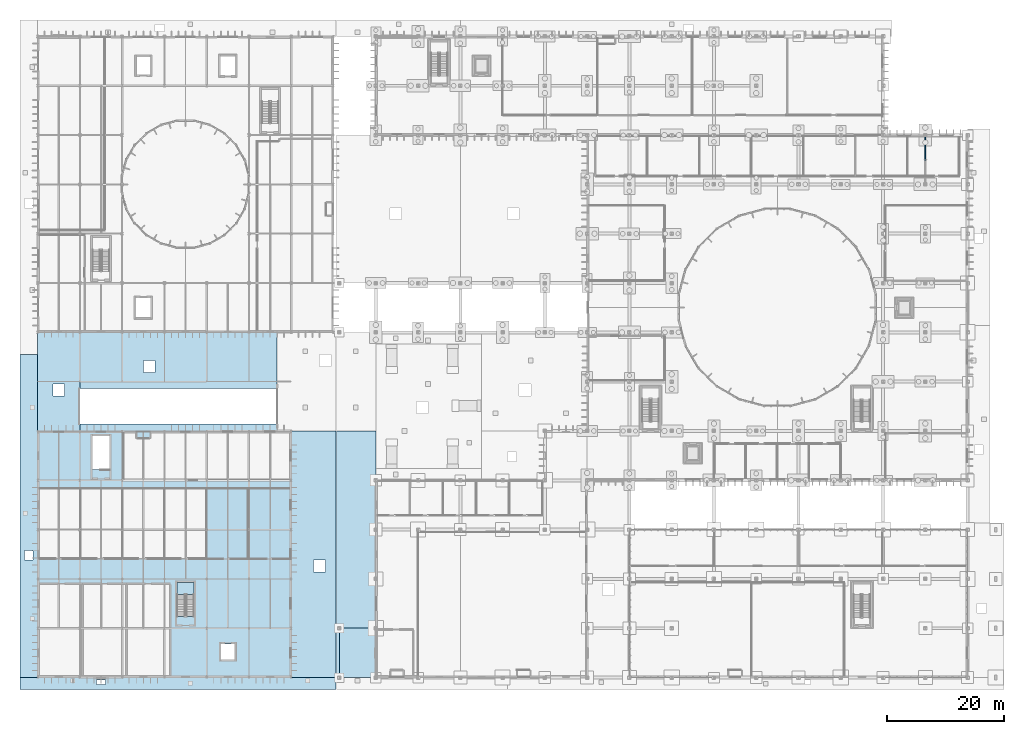
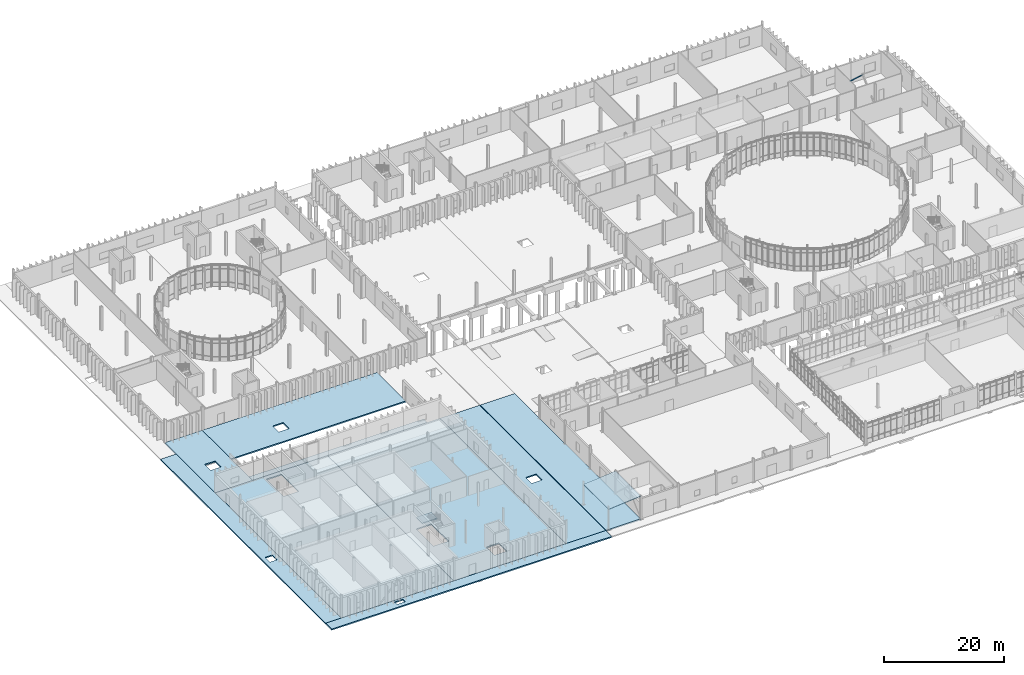
# One storey, part 53 of 118: 11 slabs, 1 member, 1 element without a shape of its own.
"""IFC4 building model written with IfcOpenShell, lengths in metres."""

import ifcopenshell
import ifcopenshell.guid

model = None  # the IFC model being written
_history = None  # IfcOwnerHistory: only IFC2X3 demands one
_inside = {}  # id of a spatial element -> (the spatial element, [elements in it])
_under = {}  # id of a project, library or spatial element -> (it, [spatial elements below it])
_declared = {}  # id of a project -> (the project, [libraries it declares])
_typed = {}  # id of a type object -> (the type object, [elements of that type])
_made_of = {}  # id of a material, layer set ... -> (it, [elements and type objects made of it])


def new_model(schema):
    """Start an empty IFC model of exactly this schema.

    Asked for "IFC4X3", IfcOpenShell would pick the latest addendum, in which some entities
    have other attributes; the version numbers below select the first issue.
    IFC2X3 requires an IfcOwnerHistory on every rooted entity: one is made here for all.
    """
    global model, _history
    if schema == "IFC4X3":
        model = ifcopenshell.file(schema_version=(4, 3, 0, 0))
    else:
        model = ifcopenshell.file(schema=schema)
    _inside.clear()
    _under.clear()
    _declared.clear()
    _typed.clear()
    _made_of.clear()
    _history = None
    if model.schema == "IFC2X3":
        org = make("IfcOrganization", Name="unknown")
        user = make(
            "IfcPersonAndOrganization",
            ThePerson=make("IfcPerson", FamilyName="unknown"),
            TheOrganization=org,
        )
        app = make(
            "IfcApplication",
            ApplicationDeveloper=org,
            Version="unknown",
            ApplicationFullName="unknown",
            ApplicationIdentifier="unknown",
        )
        _history = make(
            "IfcOwnerHistory",
            OwningUser=user,
            OwningApplication=app,
            ChangeAction="ADDED",
            CreationDate=0,
        )
    return model


def make(cls, **values):
    """One entity of the class cls with the attributes given. An attribute that is None is left unset."""
    return model.create_entity(
        cls, **{name: value for name, value in values.items() if value is not None}
    )


def rooted(cls, **values):
    """An entity with a GlobalId (a new one), such as an element, a storey or a relation."""
    return make(cls, GlobalId=ifcopenshell.guid.new(), OwnerHistory=_history, **values)


def si_unit(unit_type, name, prefix=None):
    """IfcSIUnit, for example si_unit("LENGTHUNIT", "METRE", prefix="MILLI")."""
    return make("IfcSIUnit", UnitType=unit_type, Prefix=prefix, Name=name)


def assignment(units):
    """IfcUnitAssignment: the units of a project."""
    return None if units is None else make("IfcUnitAssignment", Units=units)


def point(xyz):
    """IfcCartesianPoint."""
    return None if xyz is None else make("IfcCartesianPoint", Coordinates=xyz)


def direction(xyz):
    """IfcDirection."""
    return None if xyz is None else make("IfcDirection", DirectionRatios=xyz)


def frame(location, z_axis=None, x_axis=None):
    """IfcAxis2Placement3D, a coordinate frame: its origin and axes. An axis left out is left unset."""
    return make(
        "IfcAxis2Placement3D",
        Location=point(location),
        Axis=direction(z_axis),
        RefDirection=direction(x_axis),
    )


def frame_2d(location, x_axis=None):
    """IfcAxis2Placement2D, a coordinate frame in the plane: its origin and x axis."""
    return make(
        "IfcAxis2Placement2D", Location=point(location), RefDirection=direction(x_axis)
    )


def origin():
    """The frame at (0, 0, 0) with its axes left unset."""
    return frame((0.0, 0.0, 0.0))


def origin_2d():
    """The frame at (0, 0) in the plane with its x axis left unset."""
    return frame_2d((0.0, 0.0))


def place(relative_to, where):
    """IfcLocalPlacement: puts the frame where relative to a parent placement (None: the world)."""
    return make(
        "IfcLocalPlacement", PlacementRelTo=relative_to, RelativePlacement=where
    )


def context(
    kind, dimensions, precision=None, world=None, true_north=None, identifier=None
):
    """IfcGeometricRepresentationContext, for example the 3D "Model" context."""
    return make(
        "IfcGeometricRepresentationContext",
        ContextIdentifier=identifier,
        ContextType=kind,
        CoordinateSpaceDimension=dimensions,
        Precision=precision,
        WorldCoordinateSystem=world,
        TrueNorth=true_north,
    )


def subcontext(parent, identifier, kind, view, scale=None):
    """IfcGeometricRepresentationSubContext, for example "Body" below "Model"."""
    return make(
        "IfcGeometricRepresentationSubContext",
        ContextIdentifier=identifier,
        ContextType=kind,
        ParentContext=parent,
        TargetScale=scale,
        TargetView=view,
    )


def project(units=None, contexts=None):
    """IfcProject with its units and contexts."""
    return rooted(
        "IfcProject",
        Name="project",
        RepresentationContexts=contexts,
        UnitsInContext=assignment(units),
    )


def spatial(cls, under=None, at=None, **own):
    """A site, building, storey or space (cls), placed at a placement, below another one or the project."""
    s = rooted(cls, ObjectPlacement=at, **own)
    if under is not None:
        _under.setdefault(under.id(), (under, []))[1].append(s)
    return s


def polyline(points):
    """IfcPolyline through the points."""
    return make("IfcPolyline", Points=[point(p) for p in points])


def profile(cls, at=None, kind="AREA", **sizes):
    """A parametric profile (cls). Its sizes go by their IFC names, for example OverallWidth=200.0."""
    return make(cls, ProfileType=kind, Position=at, **sizes)


def hollow_rectangle(**sizes):
    """IfcRectangleHollowProfileDef."""
    return profile("IfcRectangleHollowProfileDef", **sizes)


def outline(outer, holes=None, kind="AREA"):
    """IfcArbitraryClosedProfileDef: a profile drawn as a closed curve; with holes, ...WithVoids."""
    if holes is None:
        return make("IfcArbitraryClosedProfileDef", ProfileType=kind, OuterCurve=outer)
    return make(
        "IfcArbitraryProfileDefWithVoids",
        ProfileType=kind,
        OuterCurve=outer,
        InnerCurves=holes,
    )


def extrude(swept, where, along, depth):
    """IfcExtrudedAreaSolid: the profile swept, set in the frame where, extruded along a direction by depth."""
    return make(
        "IfcExtrudedAreaSolid",
        SweptArea=swept,
        Position=where,
        ExtrudedDirection=direction(along),
        Depth=depth,
    )


def shape(context_of_items, identifier, shape_type, items):
    """IfcShapeRepresentation: the items that make up one representation, for example the "Body"."""
    return make(
        "IfcShapeRepresentation",
        ContextOfItems=context_of_items,
        RepresentationIdentifier=identifier,
        RepresentationType=shape_type,
        Items=items,
    )


def material(Name=None, Category=None):
    """IfcMaterial."""
    return make("IfcMaterial", Name=Name, Category=Category)


def layer(
    of_material, thickness, ventilated=None, Name=None, Category=None, Priority=None
):
    """IfcMaterialLayer: one layer of a wall or slab, of a material (None: an air gap)."""
    return make(
        "IfcMaterialLayer",
        Material=of_material,
        LayerThickness=thickness,
        IsVentilated=ventilated,
        Name=Name,
        Category=Category,
        Priority=Priority,
    )


def layer_set(layers, Name=None):
    """IfcMaterialLayerSet."""
    return make("IfcMaterialLayerSet", MaterialLayers=layers, LayerSetName=Name)


def material_profile(
    of_material, cross_section, Name=None, Category=None, Priority=None
):
    """IfcMaterialProfile: a cross section and its material."""
    return make(
        "IfcMaterialProfile",
        Name=Name,
        Material=of_material,
        Profile=cross_section,
        Priority=Priority,
        Category=Category,
    )


def profile_set(profiles, Name=None, composite=None):
    """IfcMaterialProfileSet."""
    return make(
        "IfcMaterialProfileSet",
        Name=Name,
        MaterialProfiles=profiles,
        CompositeProfile=composite,
    )


def made_of(thing, what):
    """Note that an element or type object is made of a material, layer set ...; save() writes the relation."""
    if what is not None:
        _made_of.setdefault(what.id(), (what, []))[1].append(thing)
    return thing


def type_object(cls, material=None, **own):
    """A type object (cls), such as IfcWallType, which elements share."""
    return made_of(rooted(cls, **own), material)


def element(
    cls,
    number,
    at=None,
    inside=None,
    cuts=None,
    type_object=None,
    material=None,
    context=None,
    identifier="Body",
    shape_type=None,
    held_by="IfcProductDefinitionShape",
    body=None,
    shapes=None,
    **own,
):
    """One element of the class cls, such as IfcWall. Its Tag is "e" and its number.

    at: its placement. inside: the storey or other place that contains it. cuts: it is an
    opening in that element (IfcRelVoidsElement). A single representation is given by context,
    identifier, shape_type and body (its items); several are given by shapes. held_by: the class
    of the entity that holds the representations. save() writes the other relations.
    """
    e = rooted(cls, Tag="e%d" % number, ObjectPlacement=at, **own)
    if body is not None:
        shapes = [shape(context, identifier, shape_type, body)]
    if shapes is not None:
        e.Representation = make(held_by, Representations=shapes)
    if inside is not None:
        _inside.setdefault(inside.id(), (inside, []))[1].append(e)
    if cuts is not None:
        rooted(
            "IfcRelVoidsElement", RelatingBuildingElement=cuts, RelatedOpeningElement=e
        )
    if type_object is not None:
        _typed.setdefault(type_object.id(), (type_object, []))[1].append(e)
    return made_of(e, material)


def aggregate(whole, parts):
    """IfcRelAggregates: a whole, such as a stair, and the parts it consists of."""
    return rooted("IfcRelAggregates", RelatingObject=whole, RelatedObjects=parts)


def save(model, path):
    """Write the relations noted so far, then the file.

    IfcRelAggregates (storeys below a building ...), IfcRelContainedInSpatialStructure (elements
    in a storey), IfcRelDefinesByType, IfcRelAssociatesMaterial and IfcRelDeclares: one each for
    every whole, place, type object, material and project.
    """
    for whole, parts in _under.values():
        aggregate(whole, parts)
    for where, things in _inside.values():
        rooted(
            "IfcRelContainedInSpatialStructure",
            RelatedElements=things,
            RelatingStructure=where,
        )
    for kind, things in _typed.values():
        rooted("IfcRelDefinesByType", RelatedObjects=things, RelatingType=kind)
    for what, things in _made_of.values():
        rooted("IfcRelAssociatesMaterial", RelatedObjects=things, RelatingMaterial=what)
    for by, libraries in _declared.values():
        rooted("IfcRelDeclares", RelatingContext=by, RelatedDefinitions=libraries)
    model.write(path)


model = new_model("IFC4")

# Units and contexts
model_context = context("Model", 3, precision=1e-05, world=origin(), true_north=direction((0.0, 1.0)))
body_context = subcontext(model_context, "Body", "Model", "MODEL_VIEW")
ifc_project = project(units=[si_unit("LENGTHUNIT", "METRE"), si_unit("AREAUNIT", "SQUARE_METRE"), si_unit("VOLUMEUNIT", "CUBIC_METRE"), si_unit("PLANEANGLEUNIT", "RADIAN"), si_unit("MASSUNIT", "GRAM", prefix="KILO")], contexts=[model_context])

# Site, building, storey
site_placement = place(None, origin())
site = spatial("IfcSite", under=ifc_project, at=site_placement, CompositionType="ELEMENT")
building_placement = place(site_placement, origin())
building = spatial("IfcBuilding", under=site, at=building_placement, Name="Qelthora Terrace Specialist Clinic", CompositionType="ELEMENT")
storey_placement = place(building_placement, origin())
storey = spatial("IfcBuildingStorey", under=building, at=storey_placement, Name="L00", CompositionType="ELEMENT", Elevation=0.0)

# Member
ifc_material_1 = material(Name="Steel S355", Category="steel")
ifc_material_profile = material_profile(ifc_material_1, hollow_rectangle(XDim=0.179931640625, YDim=0.179931640625, WallThickness=0.010009765625, at=origin_2d()), Name="HSS180X180X10")
ifc_profile_set = profile_set([ifc_material_profile], Name="Steel S355")
member_type = type_object("IfcMemberType", Name="MEM-BRACE-HSS180", PredefinedType="BRACE", material=ifc_profile_set)
member_placement = place(storey_placement, frame((151.199951171875, 92.39990234375, 0.179931640625), z_axis=(0.0, -0.73539317044, 0.677640675336), x_axis=(1.0, 0.0, 0.0)))
element("IfcMember", 1, at=member_placement, inside=storey, type_object=member_type, Name="Concentric seismic chevron brace B4-L00B", PredefinedType="BRACE", context=body_context, shape_type="SweptSolid", body=[
    extrude(hollow_rectangle(XDim=0.179931640625, YDim=0.179931640625, WallThickness=0.010009765625, at=origin_2d()), origin(), (0.0, 0.0, 1.0), 5.711181640625),
])

# Slabs
ifc_layer_1 = layer(ifc_material_1, 0.1298828125)
ifc_layer_set_1 = layer_set([ifc_layer_1], Name="Steel S355")
slab_type_1 = type_object("IfcSlabType", Name="SLB-CANOPY-130", PredefinedType="ROOF", material=ifc_layer_set_1)
slab_1_placement = place(storey_placement, frame((51.39990234375, 0.0, 3.969482421875), z_axis=(-0.088328783079, 0.0, 0.996091374363), x_axis=(0.996091374363, 0.0, 0.088328783079)))
element("IfcSlab", 2, at=slab_1_placement, inside=storey, type_object=slab_type_1, Name="Street forecourt raked entrance canopy V8", PredefinedType="ROOF", context=body_context, shape_type="SweptSolid", body=[
    extrude(outline(polyline([(0.0, 0.0), (6.224524649123333, 0.0), (6.224524649123333, 8.399902343750002), (0.0, 8.399902343750002), (0.0, 0.0)])), origin(), (0.088328783079, 0.0, 0.996091374363), 0.130615234375),
])
ifc_material_2 = material(Name="Concrete C30/37", Category="concrete")
ifc_layer_2 = layer(ifc_material_2, 0.239990234375)
ifc_layer_set_2 = layer_set([ifc_layer_2], Name="Concrete C30/37")
slab_type_2 = type_object("IfcSlabType", Name="SLB-IMG-240-C30", PredefinedType="FLOOR", material=ifc_layer_set_2)
slab_2_placement = place(storey_placement, frame((0.0, 0.0, -0.239990234375)))
element("IfcSlab", 3, at=slab_2_placement, inside=storey, type_object=slab_type_2, Name="L00 V2 slab SLB-L00-V2A", PredefinedType="FLOOR", context=body_context, shape_type="SweptSolid", body=[
    extrude(outline(polyline([(0.0, 42.0), (21.60009765625, 42.0), (21.60009765625, 0.0), (0.0, 0.0), (0.0, 42.0)]), holes=[polyline([(12.25, 41.14990234375), (9.35009765625, 41.14990234375), (9.35009765625, 35.400634765625), (12.25, 35.400634765625), (12.25, 41.14990234375)])]), origin(), (0.0, 0.0, 1.0), 0.239990234375),
])
slab_3_placement = place(storey_placement, frame((0.0, 0.0, -0.239990234375)))
element("IfcSlab", 4, at=slab_3_placement, inside=storey, type_object=slab_type_2, Name="L00 V2 slab SLB-L00-V2B", PredefinedType="FLOOR", context=body_context, shape_type="SweptSolid", body=[
    extrude(outline(polyline([(21.60009765625, 42.0), (43.199951171875, 42.0), (43.199951171875, 0.0), (21.60009765625, 0.0), (21.60009765625, 42.0)]), holes=[polyline([(33.60009765625, 5.75), (31.199951171875, 5.75), (31.199951171875, 3.050048828125), (33.60009765625, 3.050048828125), (33.60009765625, 5.75)]), polyline([(26.64990234375, 16.14990234375), (23.75, 16.14990234375), (23.75, 10.400634765625), (26.64990234375, 10.400634765625), (26.64990234375, 16.14990234375)])]), origin(), (0.0, 0.0, 1.0), 0.239990234375),
])

# Stair, slab
stair_type = type_object("IfcStairType", Name="STR-175-290", PredefinedType="HALF_TURN_STAIR", material=ifc_material_2)
stair_placement = place(storey_placement, origin())
stair = element("IfcStair", 5, at=stair_placement, inside=storey, type_object=stair_type, Name="L00 Enclosed Exit Stair ST-03", PredefinedType="HALF_TURN_STAIR")
ifc_layer_3 = layer(ifc_material_2, 0.199951171875)
ifc_layer_set_3 = layer_set([ifc_layer_3], Name="Concrete C30/37")
slab_type_3 = type_object("IfcSlabType", Name="SLB-LAND-200-C30", PredefinedType="LANDING", material=ifc_layer_set_3)
slab_4_placement = place(storey_placement, frame((0.0, 0.0, 2.199951171875)))
slab_4 = element("IfcSlab", 6, at=slab_4_placement, type_object=slab_type_3, Name="ST-03 landing 1", PredefinedType="LANDING", context=body_context, shape_type="SweptSolid", body=[
    extrude(outline(polyline([(26.64990234375, 14.169921875), (26.64990234375, 16.14990234375), (23.75, 16.14990234375), (23.75, 14.169921875), (26.64990234375, 14.169921875)])), origin(), (0.0, 0.0, 1.0), 0.199951171875),
])
aggregate(stair, [slab_4])

# Slabs
ifc_layer_4 = layer(ifc_material_2, 0.25)
ifc_layer_set_4 = layer_set([ifc_layer_4], Name="Concrete C30/37")
slab_type_4 = type_object("IfcSlabType", Name="SLB-TERR-250-C30", PredefinedType="FLOOR", material=ifc_layer_set_4)
slab_5_placement = place(storey_placement, frame((0.0, 0.0, -0.25)))
element("IfcSlab", 7, at=slab_5_placement, inside=storey, type_object=slab_type_4, Name="L00 V1 slab SLB-L00-WALKW", PredefinedType="FLOOR", context=body_context, shape_type="SweptSolid", body=[
    extrude(outline(polyline([(0.0, 42.0), (0.0, 58.800048828125), (7.199951171875, 58.800048828125), (7.199951171875, 42.0), (0.0, 42.0)]), holes=[polyline([(2.60009765625, 48.0), (4.60009765625, 48.0), (4.60009765625, 50.0), (2.60009765625, 50.0), (2.60009765625, 48.0)])]), origin(), (0.0, 0.0, 1.0), 0.25),
])
slab_6_placement = place(storey_placement, frame((0.0, 0.0, -0.25)))
element("IfcSlab", 8, at=slab_6_placement, inside=storey, type_object=slab_type_4, Name="L00 V1 slab SLB-L00-WALKS", PredefinedType="FLOOR", context=body_context, shape_type="SweptSolid", body=[
    extrude(outline(polyline([(7.199951171875, 42.0), (7.199951171875, 43.199951171875), (40.800048828125, 43.199951171875), (40.800048828125, 42.0), (7.199951171875, 42.0)])), origin(), (0.0, 0.0, 1.0), 0.25),
])
slab_7_placement = place(storey_placement, frame((0.0, 0.0, -0.25)))
element("IfcSlab", 9, at=slab_7_placement, inside=storey, type_object=slab_type_4, Name="L00 V1 slab SLB-L00-WALKN", PredefinedType="FLOOR", context=body_context, shape_type="SweptSolid", body=[
    extrude(outline(polyline([(7.199951171875, 49.199951171875), (7.199951171875, 58.800048828125), (40.800048828125, 58.800048828125), (40.800048828125, 49.199951171875), (7.199951171875, 49.199951171875)]), holes=[polyline([(18.0, 52.0), (20.0, 52.0), (20.0, 54.0), (18.0, 54.0), (18.0, 52.0)])]), origin(), (0.0, 0.0, 1.0), 0.25),
])
slab_8_placement = place(storey_placement, frame((0.0, 0.0, -0.25)))
element("IfcSlab", 10, at=slab_8_placement, inside=storey, type_object=slab_type_4, Name="L00 V1 slab SLB-L00-FORE1W", PredefinedType="FLOOR", context=body_context, shape_type="SweptSolid", body=[
    extrude(outline(polyline([(43.199951171875, 0.0), (43.199951171875, 42.0), (50.85009765625, 42.0), (50.85009765625, 0.0), (43.199951171875, 0.0)]), holes=[polyline([(47.0, 18.0), (49.0, 18.0), (49.0, 20.0), (47.0, 20.0), (47.0, 18.0)])]), origin(), (0.0, 0.0, 1.0), 0.25),
])
slab_9_placement = place(storey_placement, frame((0.0, 0.0, -0.25)))
element("IfcSlab", 11, at=slab_9_placement, inside=storey, type_object=slab_type_4, Name="L00 V1 slab SLB-L00-FORE1E", PredefinedType="FLOOR", context=body_context, shape_type="SweptSolid", body=[
    extrude(outline(polyline([(50.949951171875, 0.0), (50.949951171875, 42.0), (57.60009765625, 42.0), (57.60009765625, 0.0), (50.949951171875, 0.0)])), origin(), (0.0, 0.0, 1.0), 0.25),
])
slab_10_placement = place(storey_placement, frame((0.0, 0.0, -0.25)))
element("IfcSlab", 12, at=slab_10_placement, inside=storey, type_object=slab_type_4, Name="L00 V1 slab SLB-L00-EXTS1W", PredefinedType="FLOOR", context=body_context, shape_type="SweptSolid", body=[
    extrude(outline(polyline([(-3.0, -2.0), (-3.0, 0.0), (50.85009765625, 0.0), (50.85009765625, -2.0), (-3.0, -2.0)]), holes=[polyline([(10.0, -1.199951171875), (11.60009765625, -1.199951171875), (11.60009765625, -0.39990234375), (10.0, -0.39990234375), (10.0, -1.199951171875)])]), origin(), (0.0, 0.0, 1.0), 0.25),
])
slab_11_placement = place(storey_placement, frame((0.0, 0.0, -0.25)))
element("IfcSlab", 13, at=slab_11_placement, inside=storey, type_object=slab_type_4, Name="L00 V1 slab SLB-L00-EXTW1", PredefinedType="FLOOR", context=body_context, shape_type="SweptSolid", body=[
    extrude(outline(polyline([(-3.0, 0.0), (-3.0, 55.0), (0.0, 55.0), (0.0, 0.0), (-3.0, 0.0)]), holes=[polyline([(-2.199951171875, 20.0), (-0.800048828125, 20.0), (-0.800048828125, 21.60009765625), (-2.199951171875, 21.60009765625), (-2.199951171875, 20.0)])]), origin(), (0.0, 0.0, 1.0), 0.25),
])

save(model, "model.ifc")
